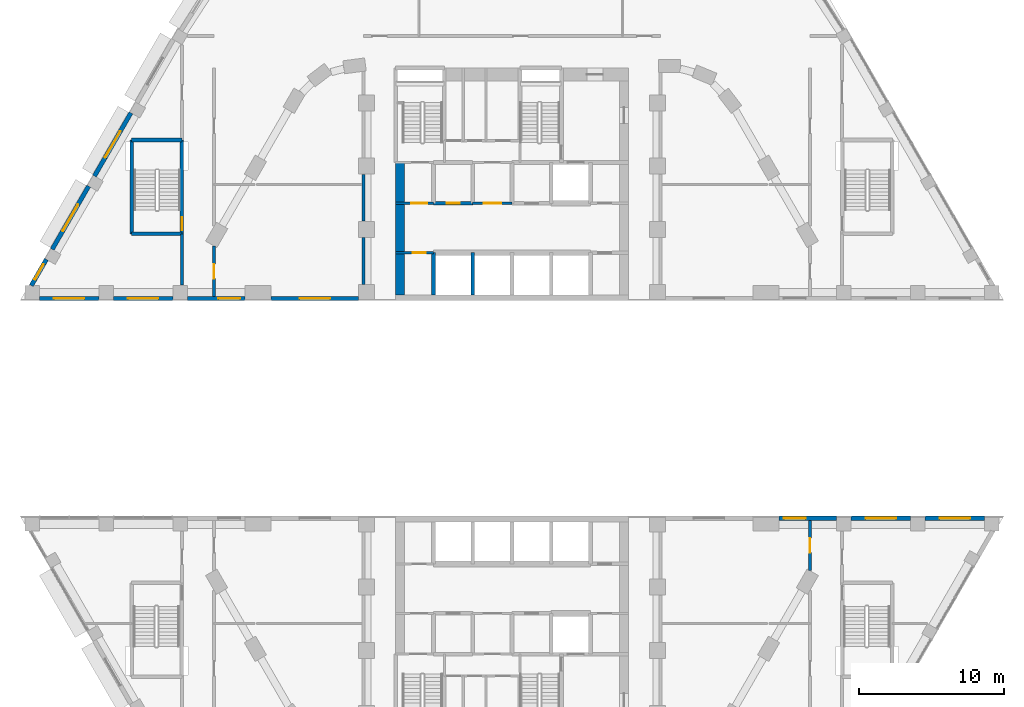
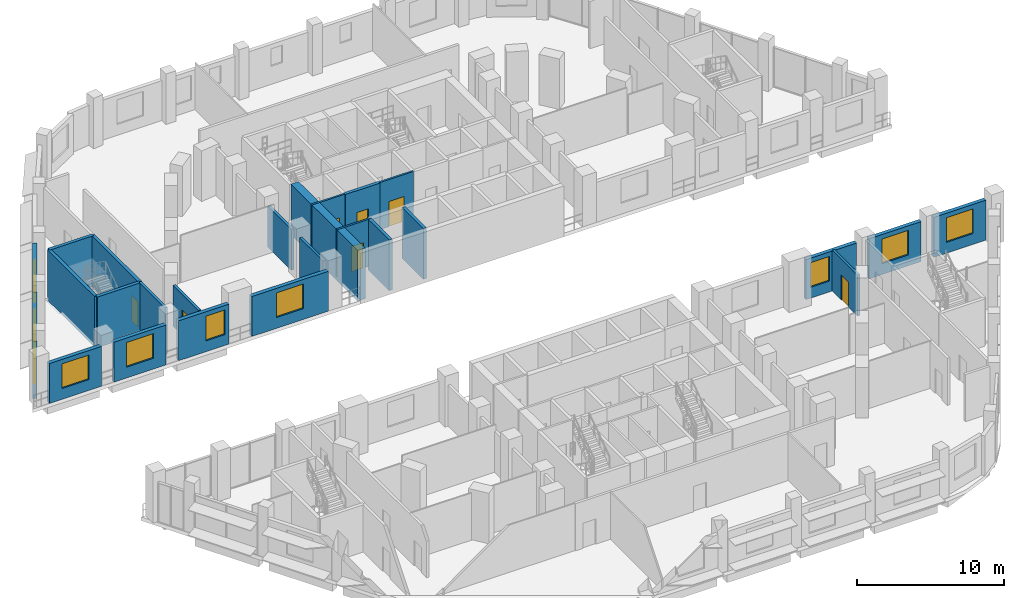
# One storey, part 13 of 22: 26 walls, 10 windows, 7 doors, 17 openings.
"""IFC4 building model written with IfcOpenShell, lengths in metres."""

from ifc_helpers import new_model, si_unit, direction, frame, frame_2d, origin, place, context, subcontext, project, spatial, rectangle, extrude, material, layer, layer_set, type_object, element, fill, save


model = new_model("IFC4")

# Units and contexts
model_context = context("Model", 3, precision=1e-05, world=origin(), true_north=direction((0.0, 1.0)))
body_context = subcontext(model_context, "Body", "Model", "MODEL_VIEW")
ifc_project = project(units=[si_unit("LENGTHUNIT", "METRE"), si_unit("AREAUNIT", "SQUARE_METRE"), si_unit("VOLUMEUNIT", "CUBIC_METRE"), si_unit("PLANEANGLEUNIT", "RADIAN"), si_unit("MASSUNIT", "GRAM", prefix="KILO")], contexts=[model_context])

# Site, building, storey
site_placement = place(None, origin())
site = spatial("IfcSite", under=ifc_project, at=site_placement, CompositionType="ELEMENT")
building_placement = place(site_placement, origin())
building = spatial("IfcBuilding", under=site, at=building_placement, Name="Nakaniwa Court", CompositionType="ELEMENT")
storey_placement = place(building_placement, frame((0.0, 0.0, 24.0)))
storey = spatial("IfcBuildingStorey", under=building, at=storey_placement, Name="L05", CompositionType="ELEMENT", Elevation=24.0)

# Wall, opening, door
ifc_material_1 = material(Name="Acoustic double stud partition")
ifc_layer_1 = layer(ifc_material_1, 0.199951171875)
ifc_layer_set_1 = layer_set([ifc_layer_1], Name="Acoustic double stud partition")
wall_type_1 = type_object("IfcWallType", Name="Acoustic double stud partition 200", PredefinedType="PARTITIONING", material=ifc_layer_set_1)
wall_1_placement = place(storey_placement, frame((100.5, 68.850830078125, 0.0), z_axis=(0.0, 0.0, 1.0), x_axis=(0.0, 1.0, 0.0)))
wall_1 = element("IfcWall", 1, at=wall_1_placement, inside=storey, type_object=wall_type_1, Name="Partition PW-084", PredefinedType="PARTITIONING", context=body_context, shape_type="SweptSolid", body=[
    extrude(rectangle(XDim=3.44921875, YDim=0.199951171875, at=frame_2d((1.724609375, 0.0))), origin(), (0.0, 0.0, 1.0), 3.405029296875),
])
opening_1_placement = place(wall_1_placement, frame((1.22607421875, 0.0, 0.0)))
opening_1 = element("IfcOpeningElement", 2, at=opening_1_placement, cuts=wall_1, Name="Opening D-02-13", PredefinedType="OPENING", context=body_context, shape_type="SweptSolid", body=[
    extrude(rectangle(XDim=1.0, YDim=2.10009765625, at=frame_2d((0.5, 1.050048828125))), frame((0.0, 0.10986328125, 0.0), z_axis=(0.0, -1.0, 0.0), x_axis=(1.0, 0.0, 0.0)), (0.0, 0.0, 1.0), 0.219970703125),
])
ifc_material_2 = material(Name="Solid core timber door set, black veneer", Category="wood")
door_type_1 = type_object("IfcDoorType", Name="Internal door 1000", OperationType="NOTDEFINED", PredefinedType="DOOR", material=ifc_material_2)
door_1_placement = place(opening_1_placement, origin())
door_1 = element("IfcDoor", 3, at=door_1_placement, inside=storey, type_object=door_type_1, Name="Door D-02-13 L05-044", OperationType="SINGLE_SWING_LEFT", OverallHeight=2.10009765625, OverallWidth=1.0, PredefinedType="DOOR", context=body_context, shape_type="SweptSolid", body=[
    extrude(rectangle(XDim=1.0, YDim=2.10009765625, at=frame_2d((0.5, 1.050048828125))), frame((0.0, 0.02490234375, 0.0), z_axis=(0.0, -1.0, 0.0), x_axis=(1.0, 0.0, 0.0)), (0.0, 0.0, 1.0), 0.050048828125),
])
fill(opening_1, door_1)

# Wall
wall_2_placement = place(storey_placement, frame((57.300048828125, 88.467041015625, 0.0), z_axis=(0.0, 0.0, 1.0), x_axis=(0.0, 1.0, 0.0)))
element("IfcWall", 4, at=wall_2_placement, inside=storey, type_object=wall_type_1, Name="Partition PW-094", PredefinedType="PARTITIONING", context=body_context, shape_type="SweptSolid", body=[
    extrude(rectangle(XDim=3.535888671875, YDim=0.199951171875, at=frame_2d((1.76806640625, 0.0))), origin(), (0.0, 0.0, 1.0), 3.925048828125),
])

# Wall, opening, door
wall_3_placement = place(storey_placement, frame((59.5, 91.149169921875, 0.0), z_axis=(0.0, 0.0, 1.0), x_axis=(0.0, -1.0, 0.0)))
wall_3 = element("IfcWall", 5, at=wall_3_placement, inside=storey, type_object=wall_type_1, Name="Partition PW-098", PredefinedType="PARTITIONING", context=body_context, shape_type="SweptSolid", body=[
    extrude(rectangle(XDim=3.44921875, YDim=0.199951171875, at=frame_2d((1.724609375, 0.0))), origin(), (0.0, 0.0, 1.0), 3.405029296875),
])
opening_2_placement = place(wall_3_placement, frame((1.22607421875, 0.0, 0.0)))
opening_2 = element("IfcOpeningElement", 6, at=opening_2_placement, cuts=wall_3, Name="Opening D-02-04", PredefinedType="OPENING", context=body_context, shape_type="SweptSolid", body=[
    extrude(rectangle(XDim=1.0, YDim=2.10009765625, at=frame_2d((0.5, 1.050048828125))), frame((0.0, 0.10986328125, 0.0), z_axis=(0.0, -1.0, 0.0), x_axis=(1.0, 0.0, 0.0)), (0.0, 0.0, 1.0), 0.219970703125),
])
door_2_placement = place(opening_2_placement, origin())
door_2 = element("IfcDoor", 7, at=door_2_placement, inside=storey, type_object=door_type_1, Name="Door D-02-04 L05-033", OperationType="SINGLE_SWING_RIGHT", OverallHeight=2.10009765625, OverallWidth=1.0, PredefinedType="DOOR", context=body_context, shape_type="SweptSolid", body=[
    extrude(rectangle(XDim=1.0, YDim=2.10009765625, at=frame_2d((0.5, 1.050048828125))), frame((0.0, 0.02490234375, 0.0), z_axis=(0.0, -1.0, 0.0), x_axis=(1.0, 0.0, 0.0)), (0.0, 0.0, 1.0), 0.050048828125),
])
fill(opening_2, door_2)

# Walls
wall_4_placement = place(storey_placement, frame((69.800048828125, 88.51708984375, 0.0), z_axis=(0.0, 0.0, 1.0), x_axis=(0.0, 1.0, 0.0)))
element("IfcWall", 8, at=wall_4_placement, inside=storey, type_object=wall_type_1, Name="Partition PW-112", PredefinedType="PARTITIONING", context=body_context, shape_type="SweptSolid", body=[
    extrude(rectangle(XDim=3.2158203125, YDim=0.199951171875, at=frame_2d((1.60791015625, 0.0))), origin(), (0.0, 0.0, 1.0), 3.405029296875),
])
wall_5_placement = place(storey_placement, frame((69.800048828125, 92.866943359375, 0.0), z_axis=(0.0, 0.0, 1.0), x_axis=(0.0, 1.0, 0.0)))
element("IfcWall", 9, at=wall_5_placement, inside=storey, type_object=wall_type_1, Name="Partition PW-113", PredefinedType="PARTITIONING", context=body_context, shape_type="SweptSolid", body=[
    extrude(rectangle(XDim=3.216064453125, YDim=0.199951171875, at=frame_2d((1.60791015625, 0.0))), origin(), (0.0, 0.0, 1.0), 3.405029296875),
])

# Wall, opening, window
ifc_material_3 = material(Name="Charcoal ceramic cladding")
ifc_layer_2 = layer(ifc_material_3, 0.02, Name="Ceramic cladding")
ifc_material_4 = material(Name="Ventilated air cavity")
ifc_layer_3 = layer(ifc_material_4, 0.04, ventilated=True, Name="Ventilated cavity")
ifc_material_5 = material(Name="Mineral wool insulation")
ifc_layer_4 = layer(ifc_material_5, 0.1, Name="Insulation")
ifc_material_6 = material(Name="Cement bonded sheathing board")
ifc_layer_5 = layer(ifc_material_6, 0.012, Name="Sheathing")
ifc_material_7 = material(Name="Cold-formed galvanised stud frame with mineral wool infill")
ifc_layer_6 = layer(ifc_material_7, 0.1, Name="Stud frame")
ifc_material_8 = material(Name="Fire-rated gypsum plasterboard lining")
ifc_layer_7 = layer(ifc_material_8, 0.028, Name="Lining")
ifc_layer_set_2 = layer_set([ifc_layer_2, ifc_layer_3, ifc_layer_4, ifc_layer_5, ifc_layer_6, ifc_layer_7], Name="Charcoal ceramic faced external wall system")
wall_type_2 = type_object("IfcWallType", Name="Black ceramic faced external wall 300", PredefinedType="SOLIDWALL", material=ifc_layer_set_2)
wall_6_placement = place(storey_placement, frame((112.5, 72.449951171875, 0.0), z_axis=(0.0, 0.0, 1.0), x_axis=(-1.0, 0.0, 0.0)))
wall_6 = element("IfcWall", 10, at=wall_6_placement, inside=storey, type_object=wall_type_2, Name="L05 external wall 04", PredefinedType="SOLIDWALL", context=body_context, shape_type="SweptSolid", body=[
    extrude(rectangle(XDim=4.094970703125, YDim=0.300048828125, at=frame_2d((2.04736328125, 0.0))), origin(), (0.0, 0.0, 1.0), 3.324951171875),
])
opening_3_placement = place(wall_6_placement, frame((0.99755859375, 0.0, 0.89990234375)))
opening_3 = element("IfcOpeningElement", 11, at=opening_3_placement, cuts=wall_6, Name="Opening W2.01", PredefinedType="OPENING", context=body_context, shape_type="SweptSolid", body=[
    extrude(rectangle(XDim=2.10009765625, YDim=2.050048828125, at=frame_2d((1.050048828125, 1.02490234375))), frame((0.0, 0.159912109375, 0.0), z_axis=(0.0, -1.0, 0.0), x_axis=(1.0, 0.0, 0.0)), (0.0, 0.0, 1.0), 0.320068359375),
])
ifc_material_9 = material(Name="Black anodised aluminium frame with dark low-E laminated double glazing", Category="aluminium")
window_type_1 = type_object("IfcWindowType", Name="Dark glass window 2100x2050 sill 900", PartitioningType="SINGLE_PANEL", PredefinedType="WINDOW", material=ifc_material_9)
window_1_placement = place(opening_3_placement, origin())
window_1 = element("IfcWindow", 12, at=window_1_placement, inside=storey, type_object=window_type_1, Name="L05 habitable room window 04-0", OverallHeight=2.050048828125, OverallWidth=2.10009765625, PartitioningType="SINGLE_PANEL", PredefinedType="WINDOW", context=body_context, shape_type="SweptSolid", body=[
    extrude(rectangle(XDim=2.10009765625, YDim=2.050048828125, at=frame_2d((1.050048828125, 1.02490234375))), frame((0.0, 0.030029296875, 0.0), z_axis=(0.0, -1.0, 0.0), x_axis=(1.0, 0.0, 0.0)), (0.0, 0.0, 1.0), 0.06005859375),
])
fill(opening_3, window_1)

wall_7_placement = place(storey_placement, frame((107.4130859375, 72.449951171875, 0.0), z_axis=(0.0, 0.0, 1.0), x_axis=(-1.0, 0.0, 0.0)))
wall_7 = element("IfcWall", 13, at=wall_7_placement, inside=storey, type_object=wall_type_2, Name="L05 external wall 05", PredefinedType="SOLIDWALL", context=body_context, shape_type="SweptSolid", body=[
    extrude(rectangle(XDim=4.093994140625, YDim=0.300048828125, at=frame_2d((2.046875, 0.0))), origin(), (0.0, 0.0, 1.0), 3.324951171875),
])
opening_4_placement = place(wall_7_placement, frame((0.9970703125, 0.0, 0.89990234375)))
opening_4 = element("IfcOpeningElement", 14, at=opening_4_placement, cuts=wall_7, Name="Opening W2.02", PredefinedType="OPENING", context=body_context, shape_type="SweptSolid", body=[
    extrude(rectangle(XDim=2.10009765625, YDim=2.050048828125, at=frame_2d((1.050048828125, 1.02490234375))), frame((0.0, 0.159912109375, 0.0), z_axis=(0.0, -1.0, 0.0), x_axis=(1.0, 0.0, 0.0)), (0.0, 0.0, 1.0), 0.320068359375),
])
window_2_placement = place(opening_4_placement, origin())
window_2 = element("IfcWindow", 15, at=window_2_placement, inside=storey, type_object=window_type_1, Name="L05 habitable room window 05-0", OverallHeight=2.050048828125, OverallWidth=2.10009765625, PartitioningType="SINGLE_PANEL", PredefinedType="WINDOW", context=body_context, shape_type="SweptSolid", body=[
    extrude(rectangle(XDim=2.10009765625, YDim=2.050048828125, at=frame_2d((1.050048828125, 1.02490234375))), frame((0.0, 0.030029296875, 0.0), z_axis=(0.0, -1.0, 0.0), x_axis=(1.0, 0.0, 0.0)), (0.0, 0.0, 1.0), 0.06005859375),
])
fill(opening_4, window_2)

wall_8_placement = place(storey_placement, frame((102.326904296875, 72.449951171875, 0.0), z_axis=(0.0, 0.0, 1.0), x_axis=(-1.0, 0.0, 0.0)))
wall_8 = element("IfcWall", 16, at=wall_8_placement, inside=storey, type_object=wall_type_2, Name="L05 external wall 06", PredefinedType="SOLIDWALL", context=body_context, shape_type="SweptSolid", body=[
    extrude(rectangle(XDim=3.972900390625, YDim=0.300048828125, at=frame_2d((1.986328125, 0.0))), origin(), (0.0, 0.0, 1.0), 3.324951171875),
])
opening_5_placement = place(wall_8_placement, frame((2.137939453125, 0.0, 0.89990234375)))
opening_5 = element("IfcOpeningElement", 17, at=opening_5_placement, cuts=wall_8, Name="Opening W4.03", PredefinedType="OPENING", context=body_context, shape_type="SweptSolid", body=[
    extrude(rectangle(XDim=1.5, YDim=2.050048828125, at=frame_2d((0.75, 1.02490234375))), frame((0.0, 0.159912109375, 0.0), z_axis=(0.0, -1.0, 0.0), x_axis=(1.0, 0.0, 0.0)), (0.0, 0.0, 1.0), 0.320068359375),
])
window_type_2 = type_object("IfcWindowType", Name="Dark glass window 1500x2050 sill 900", PartitioningType="SINGLE_PANEL", PredefinedType="WINDOW", material=ifc_material_9)
window_3_placement = place(opening_5_placement, origin())
window_3 = element("IfcWindow", 18, at=window_3_placement, inside=storey, type_object=window_type_2, Name="L05 habitable room window 06-1", OverallHeight=2.050048828125, OverallWidth=1.5, PartitioningType="SINGLE_PANEL", PredefinedType="WINDOW", context=body_context, shape_type="SweptSolid", body=[
    extrude(rectangle(XDim=1.5, YDim=2.050048828125, at=frame_2d((0.75, 1.02490234375))), frame((0.0, 0.030029296875, 0.0), z_axis=(0.0, -1.0, 0.0), x_axis=(1.0, 0.0, 0.0)), (0.0, 0.0, 1.0), 0.06005859375),
])
fill(opening_5, window_3)

wall_9_placement = place(storey_placement, frame((53.799560546875, 100.319580078125, 0.0), z_axis=(0.0, 0.0, 1.0), x_axis=(-0.499974811625, -0.866039945811, 0.0)))
wall_9 = element("IfcWall", 19, at=wall_9_placement, inside=storey, type_object=wall_type_2, Name="L05 external wall 28", PredefinedType="SOLIDWALL", context=body_context, shape_type="SweptSolid", body=[
    extrude(rectangle(XDim=5.024658203125, YDim=0.300048828125, at=frame_2d((2.51220703125, 0.0))), origin(), (0.0, 0.0, 1.0), 3.324951171875),
])
opening_6_placement = place(wall_9_placement, frame((1.46240234375, 0.0, 0.89990234375)))
opening_6 = element("IfcOpeningElement", 20, at=opening_6_placement, cuts=wall_9, Name="Opening W2.19", PredefinedType="OPENING", context=body_context, shape_type="SweptSolid", body=[
    extrude(rectangle(XDim=2.10009765625, YDim=2.050048828125, at=frame_2d((1.050048828125, 1.02490234375))), frame((0.0, 0.159912109375, 0.0), z_axis=(0.0, -1.0, 0.0), x_axis=(1.0, 0.0, 0.0)), (0.0, 0.0, 1.0), 0.320068359375),
])
window_4_placement = place(opening_6_placement, origin())
window_4 = element("IfcWindow", 21, at=window_4_placement, inside=storey, type_object=window_type_1, Name="L05 habitable room window 28-0", OverallHeight=2.050048828125, OverallWidth=2.10009765625, PartitioningType="SINGLE_PANEL", PredefinedType="WINDOW", context=body_context, shape_type="SweptSolid", body=[
    extrude(rectangle(XDim=2.10009765625, YDim=2.050048828125, at=frame_2d((1.050048828125, 1.02490234375))), frame((0.0, 0.030029296875, 0.0), z_axis=(0.0, -1.0, 0.0), x_axis=(1.0, 0.0, 0.0)), (0.0, 0.0, 1.0), 0.06005859375),
])
fill(opening_6, window_4)

wall_10_placement = place(storey_placement, frame((50.891357421875, 95.2822265625, 0.0), z_axis=(0.0, 0.0, 1.0), x_axis=(-0.500011252833, -0.866018906861, 0.0)))
wall_10 = element("IfcWall", 22, at=wall_10_placement, inside=storey, type_object=wall_type_2, Name="L05 external wall 29", PredefinedType="SOLIDWALL", context=body_context, shape_type="SweptSolid", body=[
    extrude(rectangle(XDim=5.02490234375, YDim=0.300048828125, at=frame_2d((2.512451171875, 0.0))), origin(), (0.0, 0.0, 1.0), 3.324951171875),
])
opening_7_placement = place(wall_10_placement, frame((1.46240234375, 0.0, 0.89990234375)))
opening_7 = element("IfcOpeningElement", 23, at=opening_7_placement, cuts=wall_10, Name="Opening W2.20", PredefinedType="OPENING", context=body_context, shape_type="SweptSolid", body=[
    extrude(rectangle(XDim=2.10009765625, YDim=2.050048828125, at=frame_2d((1.050048828125, 1.02490234375))), frame((0.0, 0.159912109375, 0.0), z_axis=(0.0, -1.0, 0.0), x_axis=(1.0, 0.0, 0.0)), (0.0, 0.0, 1.0), 0.320068359375),
])
window_5_placement = place(opening_7_placement, origin())
window_5 = element("IfcWindow", 24, at=window_5_placement, inside=storey, type_object=window_type_1, Name="L05 habitable room window 29-0", OverallHeight=2.050048828125, OverallWidth=2.10009765625, PartitioningType="SINGLE_PANEL", PredefinedType="WINDOW", context=body_context, shape_type="SweptSolid", body=[
    extrude(rectangle(XDim=2.10009765625, YDim=2.050048828125, at=frame_2d((1.050048828125, 1.02490234375))), frame((0.0, 0.030029296875, 0.0), z_axis=(0.0, -1.0, 0.0), x_axis=(1.0, 0.0, 0.0)), (0.0, 0.0, 1.0), 0.06005859375),
])
fill(opening_7, window_5)

wall_11_placement = place(storey_placement, frame((47.98291015625, 90.244873046875, 0.0), z_axis=(0.0, 0.0, 1.0), x_axis=(-0.500020978615, -0.866013291437, 0.0)))
wall_11 = element("IfcWall", 25, at=wall_11_placement, inside=storey, type_object=wall_type_2, Name="L05 external wall 30", PredefinedType="SOLIDWALL", context=body_context, shape_type="SweptSolid", body=[
    extrude(rectangle(XDim=2.07666015625, YDim=0.300048828125, at=frame_2d((1.038330078125, 0.0))), origin(), (0.0, 0.0, 1.0), 3.324951171875),
])
opening_8_placement = place(wall_11_placement, frame((0.3876953125, 0.0, 0.89990234375)))
opening_8 = element("IfcOpeningElement", 26, at=opening_8_placement, cuts=wall_11, Name="Opening W1.21", PredefinedType="OPENING", context=body_context, shape_type="SweptSolid", body=[
    extrude(rectangle(XDim=1.199951171875, YDim=2.050048828125, at=frame_2d((0.60009765625, 1.02490234375))), frame((0.0, 0.159912109375, 0.0), z_axis=(0.0, -1.0, 0.0), x_axis=(1.0, 0.0, 0.0)), (0.0, 0.0, 1.0), 0.320068359375),
])
window_type_3 = type_object("IfcWindowType", Name="Dark glass window 1200x2050 sill 900", PartitioningType="SINGLE_PANEL", PredefinedType="WINDOW", material=ifc_material_9)
window_6_placement = place(opening_8_placement, origin())
window_6 = element("IfcWindow", 27, at=window_6_placement, inside=storey, type_object=window_type_3, Name="L05 habitable room window 30-0", OverallHeight=2.050048828125, OverallWidth=1.199951171875, PartitioningType="SINGLE_PANEL", PredefinedType="WINDOW", context=body_context, shape_type="SweptSolid", body=[
    extrude(rectangle(XDim=1.199951171875, YDim=2.050048828125, at=frame_2d((0.60009765625, 1.02490234375))), frame((0.0, 0.030029296875, 0.0), z_axis=(0.0, -1.0, 0.0), x_axis=(1.0, 0.0, 0.0)), (0.0, 0.0, 1.0), 0.06005859375),
])
fill(opening_8, window_6)

wall_12_placement = place(storey_placement, frame((47.5, 87.550048828125, 0.0), z_axis=(0.0, 0.0, 1.0), x_axis=(1.0, 0.0, 0.0)))
wall_12 = element("IfcWall", 28, at=wall_12_placement, inside=storey, type_object=wall_type_2, Name="L05 external wall 31", PredefinedType="SOLIDWALL", context=body_context, shape_type="SweptSolid", body=[
    extrude(rectangle(XDim=4.094970703125, YDim=0.300048828125, at=frame_2d((2.04736328125, 0.0))), origin(), (0.0, 0.0, 1.0), 3.324951171875),
])
opening_9_placement = place(wall_12_placement, frame((0.99755859375, 0.0, 0.89990234375)))
opening_9 = element("IfcOpeningElement", 29, at=opening_9_placement, cuts=wall_12, Name="Opening W2.22", PredefinedType="OPENING", context=body_context, shape_type="SweptSolid", body=[
    extrude(rectangle(XDim=2.10009765625, YDim=2.050048828125, at=frame_2d((1.050048828125, 1.02490234375))), frame((0.0, 0.159912109375, 0.0), z_axis=(0.0, -1.0, 0.0), x_axis=(1.0, 0.0, 0.0)), (0.0, 0.0, 1.0), 0.320068359375),
])
window_7_placement = place(opening_9_placement, origin())
window_7 = element("IfcWindow", 30, at=window_7_placement, inside=storey, type_object=window_type_1, Name="L05 habitable room window 31-0", OverallHeight=2.050048828125, OverallWidth=2.10009765625, PartitioningType="SINGLE_PANEL", PredefinedType="WINDOW", context=body_context, shape_type="SweptSolid", body=[
    extrude(rectangle(XDim=2.10009765625, YDim=2.050048828125, at=frame_2d((1.050048828125, 1.02490234375))), frame((0.0, 0.030029296875, 0.0), z_axis=(0.0, -1.0, 0.0), x_axis=(1.0, 0.0, 0.0)), (0.0, 0.0, 1.0), 0.06005859375),
])
fill(opening_9, window_7)

wall_13_placement = place(storey_placement, frame((52.5869140625, 87.550048828125, 0.0), z_axis=(0.0, 0.0, 1.0), x_axis=(1.0, 0.0, 0.0)))
wall_13 = element("IfcWall", 31, at=wall_13_placement, inside=storey, type_object=wall_type_2, Name="L05 external wall 32", PredefinedType="SOLIDWALL", context=body_context, shape_type="SweptSolid", body=[
    extrude(rectangle(XDim=4.093994140625, YDim=0.300048828125, at=frame_2d((2.046875, 0.0))), origin(), (0.0, 0.0, 1.0), 3.324951171875),
])
opening_10_placement = place(wall_13_placement, frame((0.9970703125, 0.0, 0.89990234375)))
opening_10 = element("IfcOpeningElement", 32, at=opening_10_placement, cuts=wall_13, Name="Opening W2.23", PredefinedType="OPENING", context=body_context, shape_type="SweptSolid", body=[
    extrude(rectangle(XDim=2.10009765625, YDim=2.050048828125, at=frame_2d((1.050048828125, 1.02490234375))), frame((0.0, 0.159912109375, 0.0), z_axis=(0.0, -1.0, 0.0), x_axis=(1.0, 0.0, 0.0)), (0.0, 0.0, 1.0), 0.320068359375),
])
window_8_placement = place(opening_10_placement, origin())
window_8 = element("IfcWindow", 33, at=window_8_placement, inside=storey, type_object=window_type_1, Name="L05 habitable room window 32-0", OverallHeight=2.050048828125, OverallWidth=2.10009765625, PartitioningType="SINGLE_PANEL", PredefinedType="WINDOW", context=body_context, shape_type="SweptSolid", body=[
    extrude(rectangle(XDim=2.10009765625, YDim=2.050048828125, at=frame_2d((1.050048828125, 1.02490234375))), frame((0.0, 0.030029296875, 0.0), z_axis=(0.0, -1.0, 0.0), x_axis=(1.0, 0.0, 0.0)), (0.0, 0.0, 1.0), 0.06005859375),
])
fill(opening_10, window_8)

wall_14_placement = place(storey_placement, frame((57.673095703125, 87.550048828125, 0.0), z_axis=(0.0, 0.0, 1.0), x_axis=(1.0, 0.0, 0.0)))
wall_14 = element("IfcWall", 34, at=wall_14_placement, inside=storey, type_object=wall_type_2, Name="L05 external wall 33", PredefinedType="SOLIDWALL", context=body_context, shape_type="SweptSolid", body=[
    extrude(rectangle(XDim=3.972900390625, YDim=0.300048828125, at=frame_2d((1.986328125, 0.0))), origin(), (0.0, 0.0, 1.0), 3.324951171875),
])
opening_11_placement = place(wall_14_placement, frame((2.137939453125, 0.0, 0.89990234375)))
opening_11 = element("IfcOpeningElement", 35, at=opening_11_placement, cuts=wall_14, Name="Opening W4.24", PredefinedType="OPENING", context=body_context, shape_type="SweptSolid", body=[
    extrude(rectangle(XDim=1.5, YDim=2.050048828125, at=frame_2d((0.75, 1.02490234375))), frame((0.0, 0.159912109375, 0.0), z_axis=(0.0, -1.0, 0.0), x_axis=(1.0, 0.0, 0.0)), (0.0, 0.0, 1.0), 0.320068359375),
])
window_9_placement = place(opening_11_placement, origin())
window_9 = element("IfcWindow", 36, at=window_9_placement, inside=storey, type_object=window_type_2, Name="L05 habitable room window 33-1", OverallHeight=2.050048828125, OverallWidth=1.5, PartitioningType="SINGLE_PANEL", PredefinedType="WINDOW", context=body_context, shape_type="SweptSolid", body=[
    extrude(rectangle(XDim=1.5, YDim=2.050048828125, at=frame_2d((0.75, 1.02490234375))), frame((0.0, 0.030029296875, 0.0), z_axis=(0.0, -1.0, 0.0), x_axis=(1.0, 0.0, 0.0)), (0.0, 0.0, 1.0), 0.06005859375),
])
fill(opening_11, window_9)

wall_15_placement = place(storey_placement, frame((63.43798828125, 87.550048828125, 0.0), z_axis=(0.0, 0.0, 1.0), x_axis=(1.0, 0.0, 0.0)))
wall_15 = element("IfcWall", 37, at=wall_15_placement, inside=storey, type_object=wall_type_2, Name="L05 external wall 34", PredefinedType="SOLIDWALL", context=body_context, shape_type="SweptSolid", body=[
    extrude(rectangle(XDim=6.01611328125, YDim=0.300048828125, at=frame_2d((3.008056640625, 0.0))), origin(), (0.0, 0.0, 1.0), 3.324951171875),
])
opening_12_placement = place(wall_15_placement, frame((1.9580078125, 0.0, 0.89990234375)))
opening_12 = element("IfcOpeningElement", 38, at=opening_12_placement, cuts=wall_15, Name="Opening W2.25", PredefinedType="OPENING", context=body_context, shape_type="SweptSolid", body=[
    extrude(rectangle(XDim=2.10009765625, YDim=2.050048828125, at=frame_2d((1.050048828125, 1.02490234375))), frame((0.0, 0.159912109375, 0.0), z_axis=(0.0, -1.0, 0.0), x_axis=(1.0, 0.0, 0.0)), (0.0, 0.0, 1.0), 0.320068359375),
])
window_10_placement = place(opening_12_placement, origin())
window_10 = element("IfcWindow", 39, at=window_10_placement, inside=storey, type_object=window_type_1, Name="L05 habitable room window 34-0", OverallHeight=2.050048828125, OverallWidth=2.10009765625, PartitioningType="SINGLE_PANEL", PredefinedType="WINDOW", context=body_context, shape_type="SweptSolid", body=[
    extrude(rectangle(XDim=2.10009765625, YDim=2.050048828125, at=frame_2d((1.050048828125, 1.02490234375))), frame((0.0, 0.030029296875, 0.0), z_axis=(0.0, -1.0, 0.0), x_axis=(1.0, 0.0, 0.0)), (0.0, 0.0, 1.0), 0.06005859375),
])
fill(opening_12, window_10)

# Wall, opening, door
ifc_material_10 = material(Name="Blockwork partition", Category="masonry")
ifc_layer_8 = layer(ifc_material_10, 0.14990234375)
ifc_layer_set_3 = layer_set([ifc_layer_8], Name="Blockwork partition")
wall_type_3 = type_object("IfcWallType", Name="Blockwork partition 150", PredefinedType="PARTITIONING", material=ifc_layer_set_3)
wall_16_placement = place(storey_placement, frame((74.60009765625, 90.699951171875, 0.0), z_axis=(0.0, 0.0, 1.0), x_axis=(-1.0, 0.0, 0.0)))
wall_16 = element("IfcWall", 40, at=wall_16_placement, inside=storey, type_object=wall_type_3, Name="Partition PW-003", PredefinedType="PARTITIONING", context=body_context, shape_type="SweptSolid", body=[
    extrude(rectangle(XDim=2.60009765625, YDim=0.14990234375, at=frame_2d((1.300048828125, 0.0))), origin(), (0.0, 0.0, 1.0), 3.925048828125),
])
opening_13_placement = place(wall_16_placement, frame((0.52490234375, 0.0, 0.0)))
opening_13 = element("IfcOpeningElement", 41, at=opening_13_placement, cuts=wall_16, Name="Opening D-05-01", PredefinedType="OPENING", context=body_context, shape_type="SweptSolid", body=[
    extrude(rectangle(XDim=0.89990234375, YDim=2.10009765625, at=frame_2d((0.449951171875, 1.050048828125))), frame((0.0, 0.0849609375, 0.0), z_axis=(0.0, -1.0, 0.0), x_axis=(1.0, 0.0, 0.0)), (0.0, 0.0, 1.0), 0.169921875),
])
ifc_material_11 = material(Name="Fire rated steel door set", Category="steel")
door_type_2 = type_object("IfcDoorType", Name="Service room door 900", OperationType="NOTDEFINED", PredefinedType="DOOR", material=ifc_material_11)
door_3_placement = place(opening_13_placement, origin())
door_3 = element("IfcDoor", 42, at=door_3_placement, inside=storey, type_object=door_type_2, Name="Door D-05-01 L05-001", OperationType="SINGLE_SWING_RIGHT", OverallHeight=2.10009765625, OverallWidth=0.89990234375, PredefinedType="DOOR", context=body_context, shape_type="SweptSolid", body=[
    extrude(rectangle(XDim=0.89990234375, YDim=2.10009765625, at=frame_2d((0.449951171875, 1.050048828125))), frame((0.0, 0.02490234375, 0.0), z_axis=(0.0, -1.0, 0.0), x_axis=(1.0, 0.0, 0.0)), (0.0, 0.0, 1.0), 0.050048828125),
])
fill(opening_13, door_3)

wall_17_placement = place(storey_placement, frame((72.0, 94.10009765625, 0.0), z_axis=(0.0, 0.0, 1.0), x_axis=(1.0, 0.0, 0.0)))
wall_17 = element("IfcWall", 43, at=wall_17_placement, inside=storey, type_object=wall_type_3, Name="Partition PW-016", PredefinedType="PARTITIONING", context=body_context, shape_type="SweptSolid", body=[
    extrude(rectangle(XDim=2.60302734375, YDim=0.14990234375, at=frame_2d((1.301513671875, 0.0))), origin(), (0.0, 0.0, 1.0), 3.925048828125),
])
opening_14_placement = place(wall_17_placement, frame((1.074951171875, 0.0, 0.0)))
opening_14 = element("IfcOpeningElement", 44, at=opening_14_placement, cuts=wall_17, Name="Opening D-08-01", PredefinedType="OPENING", context=body_context, shape_type="SweptSolid", body=[
    extrude(rectangle(XDim=1.10009765625, YDim=2.10009765625, at=frame_2d((0.550048828125, 1.050048828125))), frame((0.0, 0.0849609375, 0.0), z_axis=(0.0, -1.0, 0.0), x_axis=(1.0, 0.0, 0.0)), (0.0, 0.0, 1.0), 0.169921875),
])
door_type_3 = type_object("IfcDoorType", Name="Stair lobby door 1100", OperationType="NOTDEFINED", PredefinedType="DOOR", material=ifc_material_11)
door_4_placement = place(opening_14_placement, origin())
door_4 = element("IfcDoor", 45, at=door_4_placement, inside=storey, type_object=door_type_3, Name="Door D-08-01 L05-003", OperationType="SINGLE_SWING_RIGHT", OverallHeight=2.10009765625, OverallWidth=1.10009765625, PredefinedType="DOOR", context=body_context, shape_type="SweptSolid", body=[
    extrude(rectangle(XDim=1.10009765625, YDim=2.10009765625, at=frame_2d((0.550048828125, 1.050048828125))), frame((0.0, 0.02490234375, 0.0), z_axis=(0.0, -1.0, 0.0), x_axis=(1.0, 0.0, 0.0)), (0.0, 0.0, 1.0), 0.050048828125),
])
fill(opening_14, door_4)

wall_18_placement = place(storey_placement, frame((77.297119140625, 94.10009765625, 0.0), z_axis=(0.0, 0.0, 1.0), x_axis=(1.0, 0.0, 0.0)))
wall_18 = element("IfcWall", 46, at=wall_18_placement, inside=storey, type_object=wall_type_3, Name="Partition PW-017", PredefinedType="PARTITIONING", context=body_context, shape_type="SweptSolid", body=[
    extrude(rectangle(XDim=2.705810546875, YDim=0.14990234375, at=frame_2d((1.35302734375, 0.0))), origin(), (0.0, 0.0, 1.0), 3.925048828125),
])
opening_15_placement = place(wall_18_placement, frame((0.7529296875, 0.0, 0.0)))
opening_15 = element("IfcOpeningElement", 47, at=opening_15_placement, cuts=wall_18, Name="Opening D-06-01", PredefinedType="OPENING", context=body_context, shape_type="SweptSolid", body=[
    extrude(rectangle(XDim=1.199951171875, YDim=2.10009765625, at=frame_2d((0.60009765625, 1.050048828125))), frame((0.0, 0.0849609375, 0.0), z_axis=(0.0, -1.0, 0.0), x_axis=(1.0, 0.0, 0.0)), (0.0, 0.0, 1.0), 0.169921875),
])
ifc_material_12 = material(Name="Fire rated steel double door set", Category="steel")
door_type_4 = type_object("IfcDoorType", Name="Service passage double door 1200", OperationType="NOTDEFINED", PredefinedType="DOOR", material=ifc_material_12)
door_5_placement = place(opening_15_placement, origin())
door_5 = element("IfcDoor", 48, at=door_5_placement, inside=storey, type_object=door_type_4, Name="Door D-06-01 L05-005", OperationType="DOUBLE_DOOR_SINGLE_SWING", OverallHeight=2.10009765625, OverallWidth=1.199951171875, PredefinedType="DOOR", context=body_context, shape_type="SweptSolid", body=[
    extrude(rectangle(XDim=1.199951171875, YDim=2.10009765625, at=frame_2d((0.60009765625, 1.050048828125))), frame((0.0, 0.02490234375, 0.0), z_axis=(0.0, -1.0, 0.0), x_axis=(1.0, 0.0, 0.0)), (0.0, 0.0, 1.0), 0.050048828125),
])
fill(opening_15, door_5)

# Wall
ifc_material_13 = material(Name="Concrete C100/115", Category="concrete")
ifc_layer_9 = layer(ifc_material_13, 0.60009765625)
ifc_layer_set_4 = layer_set([ifc_layer_9], Name="Concrete C100/115")
wall_type_4 = type_object("IfcWallType", Name="Concrete core side wall 600 C100", PredefinedType="SHEAR", material=ifc_layer_set_4)
wall_19_placement = place(storey_placement, frame((72.300048828125, 87.800048828125, -0.300048828125), z_axis=(0.0, 0.0, 1.0), x_axis=(0.0, 1.0, 0.0)))
element("IfcWall", 49, at=wall_19_placement, inside=storey, type_object=wall_type_4, Name="Core wall SW-04", PredefinedType="SHEAR", context=body_context, shape_type="SweptSolid", body=[
    extrude(rectangle(XDim=9.099853515625, YDim=0.60009765625, at=frame_2d((4.5498046875, 0.0))), origin(), (0.0, 0.0, 1.0), 4.22509765625),
])

# Wall, opening, door
ifc_layer_10 = layer(ifc_material_13, 0.25)
ifc_layer_set_5 = layer_set([ifc_layer_10], Name="Concrete C100/115")
wall_type_5 = type_object("IfcWallType", Name="Concrete core wall 250 C100", PredefinedType="SHEAR", material=ifc_layer_set_5)
wall_20_placement = place(storey_placement, frame((57.300048828125, 98.452880859375, -0.300048828125), z_axis=(0.0, 0.0, 1.0), x_axis=(0.0, -1.0, 0.0)))
wall_20 = element("IfcWall", 50, at=wall_20_placement, inside=storey, type_object=wall_type_5, Name="Core wall SW-91", PredefinedType="SHEAR", context=body_context, shape_type="SweptSolid", body=[
    extrude(rectangle(XDim=6.455810546875, YDim=0.25, at=frame_2d((3.22802734375, 0.0))), origin(), (0.0, 0.0, 1.0), 4.22509765625),
])
opening_16_placement = place(wall_20_placement, frame((5.305908203125, 0.0, 0.300048828125)))
opening_16 = element("IfcOpeningElement", 51, at=opening_16_placement, cuts=wall_20, Name="Opening D-11-04", PredefinedType="OPENING", context=body_context, shape_type="SweptSolid", body=[
    extrude(rectangle(XDim=0.89990234375, YDim=2.10009765625, at=frame_2d((0.449951171875, 1.050048828125))), frame((0.0, 0.135009765625, 0.0), z_axis=(0.0, -1.0, 0.0), x_axis=(1.0, 0.0, 0.0)), (0.0, 0.0, 1.0), 0.27001953125),
])
door_type_5 = type_object("IfcDoorType", Name="Stair door 900", OperationType="NOTDEFINED", PredefinedType="DOOR", material=ifc_material_11)
door_6_placement = place(opening_16_placement, origin())
door_6 = element("IfcDoor", 52, at=door_6_placement, inside=storey, type_object=door_type_5, Name="Door D-11-04 L05-028", OperationType="SINGLE_SWING_RIGHT", OverallHeight=2.10009765625, OverallWidth=0.89990234375, PredefinedType="DOOR", context=body_context, shape_type="SweptSolid", body=[
    extrude(rectangle(XDim=0.89990234375, YDim=2.10009765625, at=frame_2d((0.449951171875, 1.050048828125))), frame((0.0, 0.02490234375, 0.0), z_axis=(0.0, -1.0, 0.0), x_axis=(1.0, 0.0, 0.0)), (0.0, 0.0, 1.0), 0.050048828125),
])
fill(opening_16, door_6)

# Walls
for number, where, z_axis, x_axis, name in (
    (53, (53.85009765625, 98.449951171875, -0.300048828125), (0.0, 0.0, 1.0), (1.0, 0.0, 0.0), "Core wall SW-118"),
    (54, (53.85009765625, 92.0, -0.300048828125), (0.0, 0.0, 1.0), (1.0, 0.0, 0.0), "Core wall SW-120"),
):
    element("IfcWall", number, at=place(storey_placement, frame(where, z_axis=z_axis, x_axis=x_axis)), inside=storey, type_object=wall_type_5, Name=name, PredefinedType="SHEAR", context=body_context, shape_type="SweptSolid", body=[
        extrude(rectangle(XDim=3.449951171875, YDim=0.25, at=frame_2d((1.72509765625, 0.0))), origin(), (0.0, 0.0, 1.0), 4.22509765625),
    ])
wall_21_placement = place(storey_placement, frame((53.85009765625, 92.0, -0.300048828125), z_axis=(0.0, 0.0, 1.0), x_axis=(0.0, 1.0, 0.0)))
element("IfcWall", 55, at=wall_21_placement, inside=storey, type_object=wall_type_5, Name="Core wall SW-123", PredefinedType="SHEAR", context=body_context, shape_type="SweptSolid", body=[
    extrude(rectangle(XDim=6.449951171875, YDim=0.25, at=frame_2d((3.22509765625, 0.0))), origin(), (0.0, 0.0, 1.0), 4.22509765625),
])
ifc_layer_11 = layer(ifc_material_13, 0.25)
ifc_layer_set_6 = layer_set([ifc_layer_11], Name="Concrete C100/115")
wall_type_6 = type_object("IfcWallType", Name="Concrete shaft wall 250 C100", PredefinedType="SHEAR", material=ifc_layer_set_6)
for number, where, z_axis, x_axis, name in (
    (56, (74.60009765625, 87.800048828125, -0.300048828125), (0.0, 0.0, 1.0), (0.0, 1.0, 0.0), "Core wall SW-01"),
    (57, (77.300048828125, 87.800048828125, -0.300048828125), (0.0, 0.0, 1.0), (0.0, 1.0, 0.0), "Core wall SW-05"),
):
    element("IfcWall", number, at=place(storey_placement, frame(where, z_axis=z_axis, x_axis=x_axis)), inside=storey, type_object=wall_type_6, Name=name, PredefinedType="SHEAR", context=body_context, shape_type="SweptSolid", body=[
        extrude(rectangle(XDim=2.89990234375, YDim=0.25, at=frame_2d((1.449951171875, 0.0))), origin(), (0.0, 0.0, 1.0), 4.22509765625),
    ])

# Wall, opening, door
wall_22_placement = place(storey_placement, frame((74.596923828125, 94.10009765625, -0.300048828125), z_axis=(0.0, 0.0, 1.0), x_axis=(1.0, 0.0, 0.0)))
wall_22 = element("IfcWall", 58, at=wall_22_placement, inside=storey, type_object=wall_type_6, Name="Core wall SW-19", PredefinedType="SHEAR", context=body_context, shape_type="SweptSolid", body=[
    extrude(rectangle(XDim=2.7060546875, YDim=0.25, at=frame_2d((1.35302734375, 0.0))), origin(), (0.0, 0.0, 1.0), 4.22509765625),
])
opening_17_placement = place(wall_22_placement, frame((0.903076171875, 0.0, 0.300048828125)))
opening_17 = element("IfcOpeningElement", 59, at=opening_17_placement, cuts=wall_22, Name="Opening D-05-03", PredefinedType="OPENING", context=body_context, shape_type="SweptSolid", body=[
    extrude(rectangle(XDim=0.89990234375, YDim=2.10009765625, at=frame_2d((0.449951171875, 1.050048828125))), frame((0.0, 0.135009765625, 0.0), z_axis=(0.0, -1.0, 0.0), x_axis=(1.0, 0.0, 0.0)), (0.0, 0.0, 1.0), 0.27001953125),
])
door_7_placement = place(opening_17_placement, origin())
door_7 = element("IfcDoor", 60, at=door_7_placement, inside=storey, type_object=door_type_2, Name="Door D-05-03 L05-004", OperationType="SINGLE_SWING_LEFT", OverallHeight=2.10009765625, OverallWidth=0.89990234375, PredefinedType="DOOR", context=body_context, shape_type="SweptSolid", body=[
    extrude(rectangle(XDim=0.89990234375, YDim=2.10009765625, at=frame_2d((0.449951171875, 1.050048828125))), frame((0.0, 0.02490234375, 0.0), z_axis=(0.0, -1.0, 0.0), x_axis=(1.0, 0.0, 0.0)), (0.0, 0.0, 1.0), 0.050048828125),
])
fill(opening_17, door_7)

save(model, "model.ifc")
